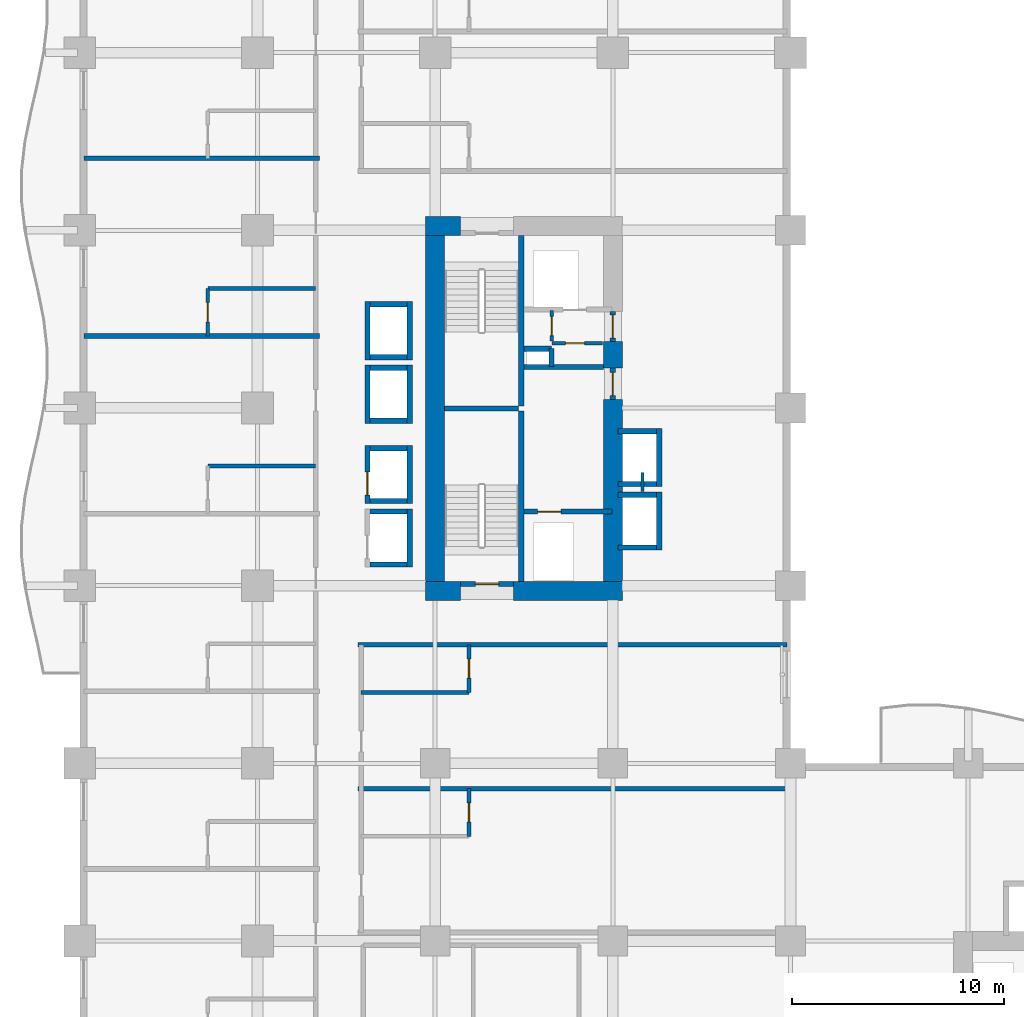
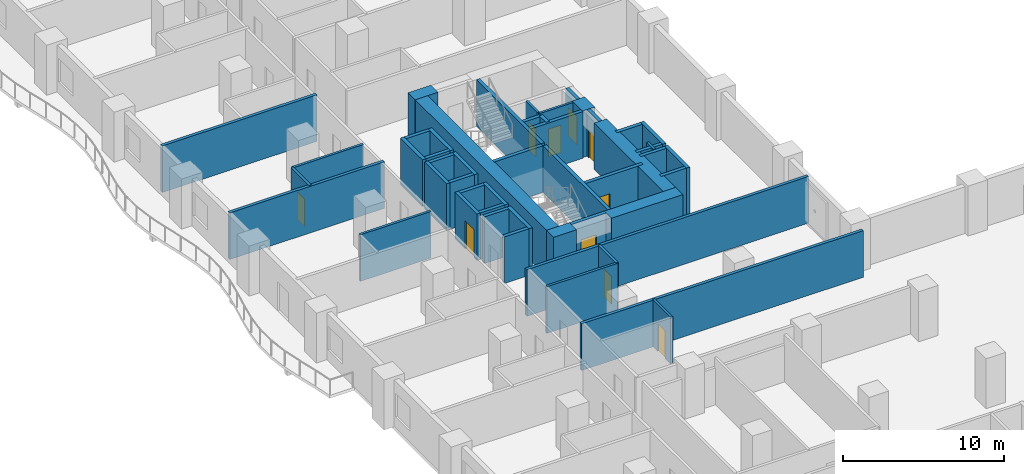
# One storey, part 11 of 20: 50 walls, 10 doors, 10 openings.
"""IFC4 building model written with IfcOpenShell, lengths in metres."""

from ifc_helpers import new_model, si_unit, direction, frame, frame_2d, origin, place, context, subcontext, project, spatial, rectangle, extrude, material, layer, layer_set, type_object, element, fill, save


model = new_model("IFC4")

# Units and contexts
model_context = context("Model", 3, precision=1e-05, world=origin(), true_north=direction((0.0, 1.0)))
body_context = subcontext(model_context, "Body", "Model", "MODEL_VIEW")
ifc_project = project(units=[si_unit("LENGTHUNIT", "METRE"), si_unit("AREAUNIT", "SQUARE_METRE"), si_unit("VOLUMEUNIT", "CUBIC_METRE"), si_unit("PLANEANGLEUNIT", "RADIAN"), si_unit("MASSUNIT", "GRAM", prefix="KILO")], contexts=[model_context])

# Site, building, storey
site_placement = place(None, origin())
site = spatial("IfcSite", under=ifc_project, at=site_placement, CompositionType="ELEMENT")
building_placement = place(site_placement, origin())
building = spatial("IfcBuilding", under=site, at=building_placement, Name="Koriwani Terraces Tower", CompositionType="ELEMENT")
storey_placement = place(building_placement, frame((0.0, 0.0, 35.800048828125)))
storey = spatial("IfcBuildingStorey", under=building, at=storey_placement, Name="L07", CompositionType="ELEMENT", Elevation=35.800048828125)

# Walls
ifc_material_1 = material(Name="Concrete C60/75", Category="concrete")
ifc_layer_1 = layer(ifc_material_1, 0.89990234375, Name="Concrete C60/75")
ifc_layer_set_1 = layer_set([ifc_layer_1], Name="Concrete C60/75")
wall_type_1 = type_object("IfcWallType", Name="WALL_CORE_RC_900", PredefinedType="SHEAR", material=ifc_layer_set_1)
wall_1_placement = place(storey_placement, frame((16.35009765625, 41.75, 0.0), z_axis=(0.0, 0.0, 1.0), x_axis=(1.0, 0.0, 0.0)))
element("IfcWall", 1, at=wall_1_placement, inside=storey, type_object=wall_type_1, Name="L07 West Split Core Shear Wall S1", PredefinedType="SHEAR", context=body_context, shape_type="SweptSolid", body=[
    extrude(rectangle(XDim=1.64990234375, YDim=0.89990234375, at=frame_2d((0.824951171875, 0.0))), origin(), (0.0, 0.0, 1.0), 3.550048828125),
])
wall_2_placement = place(storey_placement, frame((20.5, 41.75, 0.0), z_axis=(0.0, 0.0, 1.0), x_axis=(1.0, 0.0, 0.0)))
element("IfcWall", 2, at=wall_2_placement, inside=storey, type_object=wall_type_1, Name="L07 West Split Core Shear Wall S2", PredefinedType="SHEAR", context=body_context, shape_type="SweptSolid", body=[
    extrude(rectangle(XDim=5.14990234375, YDim=0.89990234375, at=frame_2d((2.574951171875, 0.0))), origin(), (0.0, 0.0, 1.0), 3.550048828125),
])
wall_3_placement = place(storey_placement, frame((16.35009765625, 59.0, 0.0), z_axis=(0.0, 0.0, 1.0), x_axis=(1.0, 0.0, 0.0)))
element("IfcWall", 3, at=wall_3_placement, inside=storey, type_object=wall_type_1, Name="L07 West Split Core Shear Wall N1", PredefinedType="SHEAR", context=body_context, shape_type="SweptSolid", body=[
    extrude(rectangle(XDim=1.64990234375, YDim=0.89990234375, at=frame_2d((0.824951171875, 0.0))), origin(), (0.0, 0.0, 1.0), 3.550048828125),
])
wall_4_placement = place(storey_placement, frame((16.800048828125, 42.199951171875, 0.0), z_axis=(0.0, 0.0, 1.0), x_axis=(0.0, 1.0, 0.0)))
element("IfcWall", 4, at=wall_4_placement, inside=storey, type_object=wall_type_1, Name="L07 West Split Core Shear Wall W1", PredefinedType="SHEAR", context=body_context, shape_type="SweptSolid", body=[
    extrude(rectangle(XDim=16.35009765625, YDim=0.89990234375, at=frame_2d((8.175048828125, 0.0))), origin(), (0.0, 0.0, 1.0), 3.550048828125),
])
wall_5_placement = place(storey_placement, frame((25.199951171875, 42.199951171875, 0.0), z_axis=(0.0, 0.0, 1.0), x_axis=(0.0, 1.0, 0.0)))
element("IfcWall", 5, at=wall_5_placement, inside=storey, type_object=wall_type_1, Name="L07 West Split Core Shear Wall E1", PredefinedType="SHEAR", context=body_context, shape_type="SweptSolid", body=[
    extrude(rectangle(XDim=8.60009765625, YDim=0.89990234375, at=frame_2d((4.300048828125, 0.0))), origin(), (0.0, 0.0, 1.0), 3.550048828125),
])
wall_6_placement = place(storey_placement, frame((25.199951171875, 52.280029296875, 0.0), z_axis=(0.0, 0.0, 1.0), x_axis=(0.0, 1.0, 0.0)))
element("IfcWall", 6, at=wall_6_placement, inside=storey, type_object=wall_type_1, Name="L07 West Split Core Shear Wall E2", PredefinedType="SHEAR", context=body_context, shape_type="SweptSolid", body=[
    extrude(rectangle(XDim=1.27001953125, YDim=0.89990234375, at=frame_2d((0.635009765625, 0.0))), origin(), (0.0, 0.0, 1.0), 3.550048828125),
])
ifc_material_2 = material(Name="Autoclaved Cellular Concrete Blockwork", Category="masonry")
ifc_layer_2 = layer(ifc_material_2, 0.219970703125, Name="Autoclaved Cellular Concrete Blockwork")
ifc_layer_set_2 = layer_set([ifc_layer_2], Name="Autoclaved Cellular Concrete Blockwork")
wall_type_2 = type_object("IfcWallType", Name="WALL_DEMISING_220", PredefinedType="PARTITIONING", material=ifc_layer_set_2)
for number, where, z_axis, x_axis, name in (
    (7, (13.14990234375, 32.39990234375, 0.0), (0.0, 0.0, 1.0), (1.0, 0.0, 0.0), "L07 Interior Wall WDEM-L07-NWI-1"),
    (8, (13.14990234375, 39.199951171875, 0.0), (0.0, 0.0, 1.0), (1.0, 0.0, 0.0), "L07 Interior Wall WDEME-L07-NWI"),
):
    element("IfcWall", number, at=place(storey_placement, frame(where, z_axis=z_axis, x_axis=x_axis)), inside=storey, type_object=wall_type_2, Name=name, PredefinedType="PARTITIONING", context=body_context, shape_type="SweptSolid", body=[
        extrude(rectangle(XDim=20.280029296875, YDim=0.219970703125, at=frame_2d((10.14013671875, 0.0))), origin(), (0.0, 0.0, 1.0), 3.550048828125),
    ])
for number, where, z_axis, x_axis, name in (
    (9, (0.199951171875, 53.800048828125, 0.0), (0.0, 0.0, 1.0), (1.0, 0.0, 0.0), "L07 Interior Wall WDEM-L07-NW-6"),
    (10, (0.199951171875, 62.199951171875, 0.0), (0.0, 0.0, 1.0), (1.0, 0.0, 0.0), "L07 Interior Wall WDEM-L07-NW-7"),
):
    element("IfcWall", number, at=place(storey_placement, frame(where, z_axis=z_axis, x_axis=x_axis)), inside=storey, type_object=wall_type_2, Name=name, PredefinedType="PARTITIONING", context=body_context, shape_type="SweptSolid", body=[
        extrude(rectangle(XDim=11.130126953125, YDim=0.219970703125, at=frame_2d((5.56494140625, 0.0))), origin(), (0.0, 0.0, 1.0), 3.550048828125),
    ])

# Wall, opening, door
ifc_material_3 = material(Name="Fire-Rated Acoustic Gypsum Partition", Category="masonry")
ifc_layer_3 = layer(ifc_material_3, 0.179931640625, Name="Fire-Rated Acoustic Gypsum Partition")
ifc_layer_set_3 = layer_set([ifc_layer_3], Name="Fire-Rated Acoustic Gypsum Partition")
wall_type_3 = type_object("IfcWallType", Name="WALL_PLUMBING_180", PredefinedType="PLUMBINGWALL", material=ifc_layer_set_3)
wall_7_placement = place(storey_placement, frame((18.39990234375, 30.14990234375, 0.0), z_axis=(0.0, 0.0, 1.0), x_axis=(0.0, 1.0, 0.0)))
wall_7 = element("IfcWall", 11, at=wall_7_placement, inside=storey, type_object=wall_type_3, Name="L07 Interior Wall WBTH1-L07-NWI-0", PredefinedType="PLUMBINGWALL", context=body_context, shape_type="SweptSolid", body=[
    extrude(rectangle(XDim=2.25, YDim=0.179931640625, at=frame_2d((1.125, 0.0))), origin(), (0.0, 0.0, 1.0), 3.550048828125),
])
opening_1_placement = place(wall_7_placement, frame((0.675048828125, 0.0, 0.0)))
opening_1 = element("IfcOpeningElement", 12, at=opening_1_placement, cuts=wall_7, Name="Opening D-07", PredefinedType="OPENING", context=body_context, shape_type="SweptSolid", body=[
    extrude(rectangle(XDim=0.89990234375, YDim=2.10009765625, at=frame_2d((0.449951171875, 1.050048828125))), frame((0.0, 0.10009765625, 0.0), z_axis=(0.0, -1.0, 0.0), x_axis=(1.0, 0.0, 0.0)), (0.0, 0.0, 1.0), 0.199951171875),
])
ifc_material_4 = material(Name="Architectural Oak Fire Door", Category="wood")
door_type_1 = type_object("IfcDoorType", Name="DOOR_BATH_INT_900X2100", OperationType="NOTDEFINED", PredefinedType="DOOR", material=ifc_material_4)
door_1_placement = place(opening_1_placement, origin())
door_1 = element("IfcDoor", 13, at=door_1_placement, inside=storey, type_object=door_type_1, Name="En-Suite Bathroom 07NWI1 Door", OperationType="SINGLE_SWING_RIGHT", OverallHeight=2.10009765625, OverallWidth=0.89990234375, PredefinedType="DOOR", context=body_context, shape_type="SweptSolid", body=[
    extrude(rectangle(XDim=0.89990234375, YDim=2.10009765625, at=frame_2d((0.449951171875, 1.050048828125))), frame((0.0, 0.02490234375, 0.0), z_axis=(0.0, -1.0, 0.0), x_axis=(1.0, 0.0, 0.0)), (0.0, 0.0, 1.0), 0.050048828125),
])
fill(opening_1, door_1)

wall_8_placement = place(storey_placement, frame((18.39990234375, 36.949951171875, 0.0), z_axis=(0.0, 0.0, 1.0), x_axis=(0.0, 1.0, 0.0)))
wall_8 = element("IfcWall", 14, at=wall_8_placement, inside=storey, type_object=wall_type_3, Name="L07 Interior Wall WBTH1-L07-NWI-1", PredefinedType="PLUMBINGWALL", context=body_context, shape_type="SweptSolid", body=[
    extrude(rectangle(XDim=2.25, YDim=0.179931640625, at=frame_2d((1.125, 0.0))), origin(), (0.0, 0.0, 1.0), 3.550048828125),
])
opening_2_placement = place(wall_8_placement, frame((0.675048828125, 0.0, 0.0)))
opening_2 = element("IfcOpeningElement", 15, at=opening_2_placement, cuts=wall_8, Name="Opening D-07", PredefinedType="OPENING", context=body_context, shape_type="SweptSolid", body=[
    extrude(rectangle(XDim=0.89990234375, YDim=2.10009765625, at=frame_2d((0.449951171875, 1.050048828125))), frame((0.0, 0.10009765625, 0.0), z_axis=(0.0, -1.0, 0.0), x_axis=(1.0, 0.0, 0.0)), (0.0, 0.0, 1.0), 0.199951171875),
])
door_2_placement = place(opening_2_placement, origin())
door_2 = element("IfcDoor", 16, at=door_2_placement, inside=storey, type_object=door_type_1, Name="En-Suite Bathroom 07NWI2 Door", OperationType="SINGLE_SWING_RIGHT", OverallHeight=2.10009765625, OverallWidth=0.89990234375, PredefinedType="DOOR", context=body_context, shape_type="SweptSolid", body=[
    extrude(rectangle(XDim=0.89990234375, YDim=2.10009765625, at=frame_2d((0.449951171875, 1.050048828125))), frame((0.0, 0.02490234375, 0.0), z_axis=(0.0, -1.0, 0.0), x_axis=(1.0, 0.0, 0.0)), (0.0, 0.0, 1.0), 0.050048828125),
])
fill(opening_2, door_2)

# Walls
for number, where, z_axis, x_axis, name in (
    (17, (13.300048828125, 36.949951171875, 0.0), (0.0, 0.0, 1.0), (1.0, 0.0, 0.0), "L07 Interior Wall WBTH2-L07-NWI-1"),
    (18, (6.050048828125, 47.64990234375, 0.0), (0.0, 0.0, 1.0), (1.0, 0.0, 0.0), "L07 Interior Wall WBTH2-L07-NW-5"),
):
    element("IfcWall", number, at=place(storey_placement, frame(where, z_axis=z_axis, x_axis=x_axis)), inside=storey, type_object=wall_type_3, Name=name, PredefinedType="PLUMBINGWALL", context=body_context, shape_type="SweptSolid", body=[
        extrude(rectangle(XDim=5.099853515625, YDim=0.179931640625, at=frame_2d((2.5498046875, 0.0))), origin(), (0.0, 0.0, 1.0), 3.550048828125),
    ])

# Wall, opening, door
wall_9_placement = place(storey_placement, frame((6.050048828125, 53.800048828125, 0.0), z_axis=(0.0, 0.0, 1.0), x_axis=(0.0, 1.0, 0.0)))
wall_9 = element("IfcWall", 19, at=wall_9_placement, inside=storey, type_object=wall_type_3, Name="L07 Interior Wall WBTH1-L07-NW-6", PredefinedType="PLUMBINGWALL", context=body_context, shape_type="SweptSolid", body=[
    extrude(rectangle(XDim=2.25, YDim=0.179931640625, at=frame_2d((1.125, 0.0))), origin(), (0.0, 0.0, 1.0), 3.550048828125),
])
opening_3_placement = place(wall_9_placement, frame((0.675048828125, 0.0, 0.0)))
opening_3 = element("IfcOpeningElement", 20, at=opening_3_placement, cuts=wall_9, Name="Opening D-07", PredefinedType="OPENING", context=body_context, shape_type="SweptSolid", body=[
    extrude(rectangle(XDim=0.89990234375, YDim=2.10009765625, at=frame_2d((0.449951171875, 1.050048828125))), frame((0.0, 0.10009765625, 0.0), z_axis=(0.0, -1.0, 0.0), x_axis=(1.0, 0.0, 0.0)), (0.0, 0.0, 1.0), 0.199951171875),
])
door_3_placement = place(opening_3_placement, origin())
door_3 = element("IfcDoor", 21, at=door_3_placement, inside=storey, type_object=door_type_1, Name="En-Suite Bathroom 07NW7 Door", OperationType="SINGLE_SWING_RIGHT", OverallHeight=2.10009765625, OverallWidth=0.89990234375, PredefinedType="DOOR", context=body_context, shape_type="SweptSolid", body=[
    extrude(rectangle(XDim=0.89990234375, YDim=2.10009765625, at=frame_2d((0.449951171875, 1.050048828125))), frame((0.0, 0.02490234375, 0.0), z_axis=(0.0, -1.0, 0.0), x_axis=(1.0, 0.0, 0.0)), (0.0, 0.0, 1.0), 0.050048828125),
])
fill(opening_3, door_3)

# Walls
wall_10_placement = place(storey_placement, frame((6.050048828125, 56.050048828125, 0.0), z_axis=(0.0, 0.0, 1.0), x_axis=(1.0, 0.0, 0.0)))
element("IfcWall", 22, at=wall_10_placement, inside=storey, type_object=wall_type_3, Name="L07 Interior Wall WBTH2-L07-NW-6", PredefinedType="PLUMBINGWALL", context=body_context, shape_type="SweptSolid", body=[
    extrude(rectangle(XDim=5.099853515625, YDim=0.179931640625, at=frame_2d((2.5498046875, 0.0))), origin(), (0.0, 0.0, 1.0), 3.550048828125),
])
ifc_material_5 = material(Name="Concrete C40/50", Category="concrete")
ifc_layer_4 = layer(ifc_material_5, 0.25, Name="Concrete C40/50")
ifc_layer_set_4 = layer_set([ifc_layer_4], Name="Concrete C40/50")
wall_type_4 = type_object("IfcWallType", Name="WALL_SHAFT_RATED_250", PredefinedType="SOLIDWALL", material=ifc_layer_set_4)
for number, where, z_axis, x_axis, name in (
    (23, (20.875, 42.199951171875, 0.0), (0.0, 0.0, 1.0), (0.0, 1.0, 0.0), "L07 West Split Core Web Wall MID1"),
    (24, (20.875, 50.5, 0.0), (0.0, 0.0, 1.0), (0.0, 1.0, 0.0), "L07 West Split Core Web Wall MID2"),
):
    element("IfcWall", number, at=place(storey_placement, frame(where, z_axis=z_axis, x_axis=x_axis)), inside=storey, type_object=wall_type_4, Name=name, PredefinedType="SOLIDWALL", context=body_context, shape_type="SweptSolid", body=[
        extrude(rectangle(XDim=8.050048828125, YDim=0.25, at=frame_2d((4.02490234375, 0.0))), origin(), (0.0, 0.0, 1.0), 3.550048828125),
    ])
wall_11_placement = place(storey_placement, frame((17.25, 50.375, 0.0), z_axis=(0.0, 0.0, 1.0), x_axis=(1.0, 0.0, 0.0)))
element("IfcWall", 25, at=wall_11_placement, inside=storey, type_object=wall_type_4, Name="L07 West Split Core Stair Dividing Wall", PredefinedType="SOLIDWALL", context=body_context, shape_type="SweptSolid", body=[
    extrude(rectangle(XDim=3.5, YDim=0.25, at=frame_2d((1.75, 0.0))), origin(), (0.0, 0.0, 1.0), 3.550048828125),
])

# Wall, opening, door
wall_12_placement = place(storey_placement, frame((18.0, 42.074951171875, 0.0), z_axis=(0.0, 0.0, 1.0), x_axis=(1.0, 0.0, 0.0)))
wall_12 = element("IfcWall", 26, at=wall_12_placement, inside=storey, type_object=wall_type_4, Name="L07 Interior Wall WIN-CW-L07-STS", PredefinedType="SOLIDWALL", context=body_context, shape_type="SweptSolid", body=[
    extrude(rectangle(XDim=2.5, YDim=0.25, at=frame_2d((1.25, 0.0))), origin(), (0.0, 0.0, 1.0), 3.550048828125),
])
opening_4_placement = place(wall_12_placement, frame((0.699951171875, 0.0, 0.0)))
opening_4 = element("IfcOpeningElement", 27, at=opening_4_placement, cuts=wall_12, Name="Opening D-03", PredefinedType="OPENING", context=body_context, shape_type="SweptSolid", body=[
    extrude(rectangle(XDim=1.10009765625, YDim=2.14990234375, at=frame_2d((0.550048828125, 1.074951171875))), frame((0.0, 0.135009765625, 0.0), z_axis=(0.0, -1.0, 0.0), x_axis=(1.0, 0.0, 0.0)), (0.0, 0.0, 1.0), 0.27001953125),
])
ifc_material_6 = material(Name="Steel ASTM A572 Grade 50", Category="steel")
door_type_2 = type_object("IfcDoorType", Name="DOOR_STAIR_FIRE_1100X2150", OperationType="NOTDEFINED", PredefinedType="DOOR", material=ifc_material_6)
door_4_placement = place(opening_4_placement, origin())
door_4 = element("IfcDoor", 28, at=door_4_placement, inside=storey, type_object=door_type_2, Name="L07 Exit Stair ST-W1 Door", OperationType="SINGLE_SWING_LEFT", OverallHeight=2.14990234375, OverallWidth=1.10009765625, PredefinedType="DOOR", context=body_context, shape_type="SweptSolid", body=[
    extrude(rectangle(XDim=1.10009765625, YDim=2.14990234375, at=frame_2d((0.550048828125, 1.074951171875))), frame((0.0, 0.02490234375, 0.0), z_axis=(0.0, -1.0, 0.0), x_axis=(1.0, 0.0, 0.0)), (0.0, 0.0, 1.0), 0.050048828125),
])
fill(opening_4, door_4)

wall_13_placement = place(storey_placement, frame((21.0, 45.5, 0.0), z_axis=(0.0, 0.0, 1.0), x_axis=(1.0, 0.0, 0.0)))
wall_13 = element("IfcWall", 29, at=wall_13_placement, inside=storey, type_object=wall_type_4, Name="L07 Interior Wall WIN-CW-L07-FE", PredefinedType="SOLIDWALL", context=body_context, shape_type="SweptSolid", body=[
    extrude(rectangle(XDim=4.14990234375, YDim=0.25, at=frame_2d((2.074951171875, 0.0))), origin(), (0.0, 0.0, 1.0), 3.550048828125),
])
opening_5_placement = place(wall_13_placement, frame((0.64990234375, 0.0, 0.0)))
opening_5 = element("IfcOpeningElement", 30, at=opening_5_placement, cuts=wall_13, Name="Opening LD-01", PredefinedType="OPENING", context=body_context, shape_type="SweptSolid", body=[
    extrude(rectangle(XDim=1.10009765625, YDim=2.14990234375, at=frame_2d((0.550048828125, 1.074951171875))), frame((0.0, 0.135009765625, 0.0), z_axis=(0.0, -1.0, 0.0), x_axis=(1.0, 0.0, 0.0)), (0.0, 0.0, 1.0), 0.27001953125),
])
door_type_3 = type_object("IfcDoorType", Name="DOOR_LIFT_LANDING_1100X2200", OperationType="NOTDEFINED", PredefinedType="DOOR", material=ifc_material_6)
door_5_placement = place(opening_5_placement, origin())
door_5 = element("IfcDoor", 31, at=door_5_placement, inside=storey, type_object=door_type_3, Name="L07 Firefighting Lift FE-01 Landing Door", OperationType="SLIDING_TO_LEFT", OverallHeight=2.14990234375, OverallWidth=1.10009765625, PredefinedType="DOOR", context=body_context, shape_type="SweptSolid", body=[
    extrude(rectangle(XDim=1.10009765625, YDim=2.14990234375, at=frame_2d((0.550048828125, 1.074951171875))), frame((0.0, 0.02490234375, 0.0), z_axis=(0.0, -1.0, 0.0), x_axis=(1.0, 0.0, 0.0)), (0.0, 0.0, 1.0), 0.050048828125),
])
fill(opening_5, door_5)

wall_14_placement = place(storey_placement, frame((25.199951171875, 50.800048828125, 0.0), z_axis=(0.0, 0.0, 1.0), x_axis=(0.0, 1.0, 0.0)))
wall_14 = element("IfcWall", 32, at=wall_14_placement, inside=storey, type_object=wall_type_4, Name="L07 Interior Wall WIN-CW-L07-EP", PredefinedType="SOLIDWALL", context=body_context, shape_type="SweptSolid", body=[
    extrude(rectangle(XDim=1.47998046875, YDim=0.25, at=frame_2d((0.739990234375, 0.0))), origin(), (0.0, 0.0, 1.0), 3.550048828125),
])
opening_6_placement = place(wall_14_placement, frame((0.179931640625, 0.0, 0.0)))
opening_6 = element("IfcOpeningElement", 33, at=opening_6_placement, cuts=wall_14, Name="Opening D-03", PredefinedType="OPENING", context=body_context, shape_type="SweptSolid", body=[
    extrude(rectangle(XDim=1.10009765625, YDim=2.14990234375, at=frame_2d((0.550048828125, 1.074951171875))), frame((0.0, 0.135009765625, 0.0), z_axis=(0.0, -1.0, 0.0), x_axis=(1.0, 0.0, 0.0)), (0.0, 0.0, 1.0), 0.27001953125),
])
door_6_placement = place(opening_6_placement, origin())
door_6 = element("IfcDoor", 34, at=door_6_placement, inside=storey, type_object=door_type_2, Name="L07 West Firefighting Lobby Door", OperationType="SINGLE_SWING_LEFT", OverallHeight=2.14990234375, OverallWidth=1.10009765625, PredefinedType="DOOR", context=body_context, shape_type="SweptSolid", body=[
    extrude(rectangle(XDim=1.10009765625, YDim=2.14990234375, at=frame_2d((0.550048828125, 1.074951171875))), frame((0.0, 0.02490234375, 0.0), z_axis=(0.0, -1.0, 0.0), x_axis=(1.0, 0.0, 0.0)), (0.0, 0.0, 1.0), 0.050048828125),
])
fill(opening_6, door_6)

# Wall
wall_15_placement = place(storey_placement, frame((21.0, 52.340087890625, 0.0), z_axis=(0.0, 0.0, 1.0), x_axis=(1.0, 0.0, 0.0)))
element("IfcWall", 35, at=wall_15_placement, inside=storey, type_object=wall_type_4, Name="L07 Interior Wall WIN-CW-L07-FFN", PredefinedType="SOLIDWALL", context=body_context, shape_type="SweptSolid", body=[
    extrude(rectangle(XDim=3.75, YDim=0.25, at=frame_2d((1.875, 0.0))), origin(), (0.0, 0.0, 1.0), 3.550048828125),
])

# Wall, opening, door
wall_16_placement = place(storey_placement, frame((25.199951171875, 53.550048828125, 0.0), z_axis=(0.0, 0.0, 1.0), x_axis=(0.0, 1.0, 0.0)))
wall_16 = element("IfcWall", 36, at=wall_16_placement, inside=storey, type_object=wall_type_4, Name="L07 Interior Wall WIN-CW-L07-EP2", PredefinedType="SOLIDWALL", context=body_context, shape_type="SweptSolid", body=[
    extrude(rectangle(XDim=1.39990234375, YDim=0.25, at=frame_2d((0.699951171875, 0.0))), origin(), (0.0, 0.0, 1.0), 3.550048828125),
])
opening_7_placement = place(wall_16_placement, frame((0.14990234375, 0.0, 0.0)))
opening_7 = element("IfcOpeningElement", 37, at=opening_7_placement, cuts=wall_16, Name="Opening D-03", PredefinedType="OPENING", context=body_context, shape_type="SweptSolid", body=[
    extrude(rectangle(XDim=1.10009765625, YDim=2.14990234375, at=frame_2d((0.550048828125, 1.074951171875))), frame((0.0, 0.135009765625, 0.0), z_axis=(0.0, -1.0, 0.0), x_axis=(1.0, 0.0, 0.0)), (0.0, 0.0, 1.0), 0.27001953125),
])
door_7_placement = place(opening_7_placement, origin())
door_7 = element("IfcDoor", 38, at=door_7_placement, inside=storey, type_object=door_type_2, Name="L07 West Goods Lift Lobby Door", OperationType="SINGLE_SWING_RIGHT", OverallHeight=2.14990234375, OverallWidth=1.10009765625, PredefinedType="DOOR", context=body_context, shape_type="SweptSolid", body=[
    extrude(rectangle(XDim=1.10009765625, YDim=2.14990234375, at=frame_2d((0.550048828125, 1.074951171875))), frame((0.0, 0.02490234375, 0.0), z_axis=(0.0, -1.0, 0.0), x_axis=(1.0, 0.0, 0.0)), (0.0, 0.0, 1.0), 0.050048828125),
])
fill(opening_7, door_7)

# Walls
wall_17_placement = place(storey_placement, frame((21.0, 53.199951171875, 0.0), z_axis=(0.0, 0.0, 1.0), x_axis=(1.0, 0.0, 0.0)))
element("IfcWall", 39, at=wall_17_placement, inside=storey, type_object=wall_type_4, Name="L07 Interior Wall WIN-CW-L07-RS1", PredefinedType="SOLIDWALL", context=body_context, shape_type="SweptSolid", body=[
    extrude(rectangle(XDim=1.300048828125, YDim=0.25, at=frame_2d((0.64990234375, 0.0))), origin(), (0.0, 0.0, 1.0), 3.550048828125),
])
wall_18_placement = place(storey_placement, frame((22.300048828125, 52.360107421875, 0.0), z_axis=(0.0, 0.0, 1.0), x_axis=(0.0, 1.0, 0.0)))
element("IfcWall", 40, at=wall_18_placement, inside=storey, type_object=wall_type_4, Name="L07 Interior Wall WIN-CW-L07-RS2", PredefinedType="SOLIDWALL", context=body_context, shape_type="SweptSolid", body=[
    extrude(rectangle(XDim=0.83984375, YDim=0.25, at=frame_2d((0.419921875, 0.0))), origin(), (0.0, 0.0, 1.0), 3.550048828125),
])
wall_19_placement = place(storey_placement, frame((15.60009765625, 42.875, 0.0), z_axis=(0.0, 0.0, 1.0), x_axis=(0.0, 1.0, 0.0)))
element("IfcWall", 41, at=wall_19_placement, inside=storey, type_object=wall_type_4, Name="L07 Interior Wall WIN-LF-PE-L1-L07-B", PredefinedType="SOLIDWALL", context=body_context, shape_type="SweptSolid", body=[
    extrude(rectangle(XDim=2.75, YDim=0.25, at=frame_2d((1.375, 0.0))), origin(), (0.0, 0.0, 1.0), 3.550048828125),
])
for number, where, z_axis, x_axis, name in (
    (42, (13.72509765625, 43.0, 0.0), (0.0, 0.0, 1.0), (1.0, 0.0, 0.0), "L07 Interior Wall WIN-LF-PE-L1-L07-S"),
    (43, (13.72509765625, 45.5, 0.0), (0.0, 0.0, 1.0), (1.0, 0.0, 0.0), "L07 Interior Wall WIN-LF-PE-L1-L07-N"),
):
    element("IfcWall", number, at=place(storey_placement, frame(where, z_axis=z_axis, x_axis=x_axis)), inside=storey, type_object=wall_type_4, Name=name, PredefinedType="SOLIDWALL", context=body_context, shape_type="SweptSolid", body=[
        extrude(rectangle(XDim=1.75, YDim=0.25, at=frame_2d((0.875, 0.0))), origin(), (0.0, 0.0, 1.0), 3.550048828125),
    ])

# Wall, opening, door
wall_20_placement = place(storey_placement, frame((13.60009765625, 45.875, 0.0), z_axis=(0.0, 0.0, 1.0), x_axis=(0.0, 1.0, 0.0)))
wall_20 = element("IfcWall", 44, at=wall_20_placement, inside=storey, type_object=wall_type_4, Name="L07 Interior Wall WIN-LF-PE-L2-L07-F", PredefinedType="SOLIDWALL", context=body_context, shape_type="SweptSolid", body=[
    extrude(rectangle(XDim=2.75, YDim=0.25, at=frame_2d((1.375, 0.0))), origin(), (0.0, 0.0, 1.0), 3.550048828125),
])
opening_8_placement = place(wall_20_placement, frame((0.39990234375, 0.0, 0.0)))
opening_8 = element("IfcOpeningElement", 45, at=opening_8_placement, cuts=wall_20, Name="Opening LD-01", PredefinedType="OPENING", context=body_context, shape_type="SweptSolid", body=[
    extrude(rectangle(XDim=1.10009765625, YDim=2.14990234375, at=frame_2d((0.550048828125, 1.074951171875))), frame((0.0, 0.135009765625, 0.0), z_axis=(0.0, -1.0, 0.0), x_axis=(1.0, 0.0, 0.0)), (0.0, 0.0, 1.0), 0.27001953125),
])
door_8_placement = place(opening_8_placement, origin())
door_8 = element("IfcDoor", 46, at=door_8_placement, inside=storey, type_object=door_type_3, Name="L07 Passenger Lift PE-L2 Landing Door", OperationType="SLIDING_TO_LEFT", OverallHeight=2.14990234375, OverallWidth=1.10009765625, PredefinedType="DOOR", context=body_context, shape_type="SweptSolid", body=[
    extrude(rectangle(XDim=1.10009765625, YDim=2.14990234375, at=frame_2d((0.550048828125, 1.074951171875))), frame((0.0, 0.02490234375, 0.0), z_axis=(0.0, -1.0, 0.0), x_axis=(1.0, 0.0, 0.0)), (0.0, 0.0, 1.0), 0.050048828125),
])
fill(opening_8, door_8)

# Walls
wall_21_placement = place(storey_placement, frame((15.60009765625, 45.875, 0.0), z_axis=(0.0, 0.0, 1.0), x_axis=(0.0, 1.0, 0.0)))
element("IfcWall", 47, at=wall_21_placement, inside=storey, type_object=wall_type_4, Name="L07 Interior Wall WIN-LF-PE-L2-L07-B", PredefinedType="SOLIDWALL", context=body_context, shape_type="SweptSolid", body=[
    extrude(rectangle(XDim=2.75, YDim=0.25, at=frame_2d((1.375, 0.0))), origin(), (0.0, 0.0, 1.0), 3.550048828125),
])
for number, where, z_axis, x_axis, name in (
    (48, (13.72509765625, 46.0, 0.0), (0.0, 0.0, 1.0), (1.0, 0.0, 0.0), "L07 Interior Wall WIN-LF-PE-L2-L07-S"),
    (49, (13.72509765625, 48.5, 0.0), (0.0, 0.0, 1.0), (1.0, 0.0, 0.0), "L07 Interior Wall WIN-LF-PE-L2-L07-N"),
):
    element("IfcWall", number, at=place(storey_placement, frame(where, z_axis=z_axis, x_axis=x_axis)), inside=storey, type_object=wall_type_4, Name=name, PredefinedType="SOLIDWALL", context=body_context, shape_type="SweptSolid", body=[
        extrude(rectangle(XDim=1.75, YDim=0.25, at=frame_2d((0.875, 0.0))), origin(), (0.0, 0.0, 1.0), 3.550048828125),
    ])
for number, where, z_axis, x_axis, name in (
    (50, (13.60009765625, 49.675048828125, 0.0), (0.0, 0.0, 1.0), (0.0, 1.0, 0.0), "L07 Interior Wall WIN-LF-PE-M1-L07-F"),
    (51, (15.60009765625, 49.675048828125, 0.0), (0.0, 0.0, 1.0), (0.0, 1.0, 0.0), "L07 Interior Wall WIN-LF-PE-M1-L07-B"),
):
    element("IfcWall", number, at=place(storey_placement, frame(where, z_axis=z_axis, x_axis=x_axis)), inside=storey, type_object=wall_type_4, Name=name, PredefinedType="SOLIDWALL", context=body_context, shape_type="SweptSolid", body=[
        extrude(rectangle(XDim=2.75, YDim=0.25, at=frame_2d((1.375, 0.0))), origin(), (0.0, 0.0, 1.0), 3.550048828125),
    ])
for number, where, z_axis, x_axis, name in (
    (52, (13.72509765625, 49.800048828125, 0.0), (0.0, 0.0, 1.0), (1.0, 0.0, 0.0), "L07 Interior Wall WIN-LF-PE-M1-L07-S"),
    (53, (13.72509765625, 52.300048828125, 0.0), (0.0, 0.0, 1.0), (1.0, 0.0, 0.0), "L07 Interior Wall WIN-LF-PE-M1-L07-N"),
):
    element("IfcWall", number, at=place(storey_placement, frame(where, z_axis=z_axis, x_axis=x_axis)), inside=storey, type_object=wall_type_4, Name=name, PredefinedType="SOLIDWALL", context=body_context, shape_type="SweptSolid", body=[
        extrude(rectangle(XDim=1.75, YDim=0.25, at=frame_2d((0.875, 0.0))), origin(), (0.0, 0.0, 1.0), 3.550048828125),
    ])
for number, where, z_axis, x_axis, name in (
    (54, (13.60009765625, 52.675048828125, 0.0), (0.0, 0.0, 1.0), (0.0, 1.0, 0.0), "L07 Interior Wall WIN-LF-PE-M2-L07-F"),
    (55, (15.60009765625, 52.675048828125, 0.0), (0.0, 0.0, 1.0), (0.0, 1.0, 0.0), "L07 Interior Wall WIN-LF-PE-M2-L07-B"),
):
    element("IfcWall", number, at=place(storey_placement, frame(where, z_axis=z_axis, x_axis=x_axis)), inside=storey, type_object=wall_type_4, Name=name, PredefinedType="SOLIDWALL", context=body_context, shape_type="SweptSolid", body=[
        extrude(rectangle(XDim=2.75, YDim=0.25, at=frame_2d((1.375, 0.0))), origin(), (0.0, 0.0, 1.0), 3.550048828125),
    ])
for number, where, z_axis, x_axis, name in (
    (56, (13.72509765625, 52.800048828125, 0.0), (0.0, 0.0, 1.0), (1.0, 0.0, 0.0), "L07 Interior Wall WIN-LF-PE-M2-L07-S"),
    (57, (13.72509765625, 55.300048828125, 0.0), (0.0, 0.0, 1.0), (1.0, 0.0, 0.0), "L07 Interior Wall WIN-LF-PE-M2-L07-N"),
):
    element("IfcWall", number, at=place(storey_placement, frame(where, z_axis=z_axis, x_axis=x_axis)), inside=storey, type_object=wall_type_4, Name=name, PredefinedType="SOLIDWALL", context=body_context, shape_type="SweptSolid", body=[
        extrude(rectangle(XDim=1.75, YDim=0.25, at=frame_2d((0.875, 0.0))), origin(), (0.0, 0.0, 1.0), 3.550048828125),
    ])
wall_22_placement = place(storey_placement, frame((27.39990234375, 43.675048828125, 0.0), z_axis=(0.0, 0.0, 1.0), x_axis=(0.0, 1.0, 0.0)))
element("IfcWall", 58, at=wall_22_placement, inside=storey, type_object=wall_type_4, Name="L07 Interior Wall WIN-LF-PE-H1-L07-F", PredefinedType="SOLIDWALL", context=body_context, shape_type="SweptSolid", body=[
    extrude(rectangle(XDim=2.75, YDim=0.25, at=frame_2d((1.375, 0.0))), origin(), (0.0, 0.0, 1.0), 3.550048828125),
])
for number, where, z_axis, x_axis, name in (
    (59, (25.449951171875, 43.800048828125, 0.0), (0.0, 0.0, 1.0), (1.0, 0.0, 0.0), "L07 Interior Wall WIN-LF-PE-H1-L07-S"),
    (60, (25.449951171875, 46.300048828125, 0.0), (0.0, 0.0, 1.0), (1.0, 0.0, 0.0), "L07 Interior Wall WIN-LF-PE-H1-L07-N"),
):
    element("IfcWall", number, at=place(storey_placement, frame(where, z_axis=z_axis, x_axis=x_axis)), inside=storey, type_object=wall_type_4, Name=name, PredefinedType="SOLIDWALL", context=body_context, shape_type="SweptSolid", body=[
        extrude(rectangle(XDim=1.824951171875, YDim=0.25, at=frame_2d((0.91259765625, 0.0))), origin(), (0.0, 0.0, 1.0), 3.550048828125),
    ])
wall_23_placement = place(storey_placement, frame((27.39990234375, 46.675048828125, 0.0), z_axis=(0.0, 0.0, 1.0), x_axis=(0.0, 1.0, 0.0)))
element("IfcWall", 61, at=wall_23_placement, inside=storey, type_object=wall_type_4, Name="L07 Interior Wall WIN-LF-PE-H2-L07-F", PredefinedType="SOLIDWALL", context=body_context, shape_type="SweptSolid", body=[
    extrude(rectangle(XDim=2.75, YDim=0.25, at=frame_2d((1.375, 0.0))), origin(), (0.0, 0.0, 1.0), 3.550048828125),
])
for number, where, z_axis, x_axis, name in (
    (62, (25.449951171875, 46.800048828125, 0.0), (0.0, 0.0, 1.0), (1.0, 0.0, 0.0), "L07 Interior Wall WIN-LF-PE-H2-L07-S"),
    (63, (25.449951171875, 49.300048828125, 0.0), (0.0, 0.0, 1.0), (1.0, 0.0, 0.0), "L07 Interior Wall WIN-LF-PE-H2-L07-N"),
):
    element("IfcWall", number, at=place(storey_placement, frame(where, z_axis=z_axis, x_axis=x_axis)), inside=storey, type_object=wall_type_4, Name=name, PredefinedType="SOLIDWALL", context=body_context, shape_type="SweptSolid", body=[
        extrude(rectangle(XDim=1.824951171875, YDim=0.25, at=frame_2d((0.91259765625, 0.0))), origin(), (0.0, 0.0, 1.0), 3.550048828125),
    ])

# Wall, opening, door
ifc_layer_5 = layer(ifc_material_3, 0.159912109375, Name="Fire-Rated Acoustic Gypsum Partition")
ifc_layer_set_5 = layer_set([ifc_layer_5], Name="Fire-Rated Acoustic Gypsum Partition")
wall_type_5 = type_object("IfcWallType", Name="WALL_SUITE_160", PredefinedType="PARTITIONING", material=ifc_layer_set_5)
wall_24_placement = place(storey_placement, frame((22.320068359375, 53.56005859375, 0.0), z_axis=(0.0, 0.0, 1.0), x_axis=(0.0, 1.0, 0.0)))
wall_24 = element("IfcWall", 64, at=wall_24_placement, inside=storey, type_object=wall_type_5, Name="L07 Interior Wall WIN-CW-L07-SV1A", PredefinedType="PARTITIONING", context=body_context, shape_type="SweptSolid", body=[
    extrude(rectangle(XDim=1.43994140625, YDim=0.159912109375, at=frame_2d((0.719970703125, 0.0))), origin(), (0.0, 0.0, 1.0), 3.550048828125),
])
opening_9_placement = place(wall_24_placement, frame((0.260009765625, 0.0, 0.0)))
opening_9 = element("IfcOpeningElement", 65, at=opening_9_placement, cuts=wall_24, Name="Opening D-07", PredefinedType="OPENING", context=body_context, shape_type="SweptSolid", body=[
    extrude(rectangle(XDim=0.89990234375, YDim=2.10009765625, at=frame_2d((0.449951171875, 1.050048828125))), frame((0.0, 0.08984375, 0.0), z_axis=(0.0, -1.0, 0.0), x_axis=(1.0, 0.0, 0.0)), (0.0, 0.0, 1.0), 0.179931640625),
])
door_9_placement = place(opening_9_placement, origin())
door_9 = element("IfcDoor", 66, at=door_9_placement, inside=storey, type_object=door_type_1, Name="L07 West Telecom Room Door", OperationType="SINGLE_SWING_LEFT", OverallHeight=2.10009765625, OverallWidth=0.89990234375, PredefinedType="DOOR", context=body_context, shape_type="SweptSolid", body=[
    extrude(rectangle(XDim=0.89990234375, YDim=2.10009765625, at=frame_2d((0.449951171875, 1.050048828125))), frame((0.0, 0.02490234375, 0.0), z_axis=(0.0, -1.0, 0.0), x_axis=(1.0, 0.0, 0.0)), (0.0, 0.0, 1.0), 0.050048828125),
])
fill(opening_9, door_9)

wall_25_placement = place(storey_placement, frame((22.320068359375, 53.4599609375, 0.0), z_axis=(0.0, 0.0, 1.0), x_axis=(1.0, 0.0, 0.0)))
wall_25 = element("IfcWall", 67, at=wall_25_placement, inside=storey, type_object=wall_type_5, Name="L07 Interior Wall WIN-CW-L07-SV1B", PredefinedType="PARTITIONING", context=body_context, shape_type="SweptSolid", body=[
    extrude(rectangle(XDim=2.39990234375, YDim=0.159912109375, at=frame_2d((1.199951171875, 0.0))), origin(), (0.0, 0.0, 1.0), 3.550048828125),
])
opening_10_placement = place(wall_25_placement, frame((0.64990234375, 0.0, 0.0)))
opening_10 = element("IfcOpeningElement", 68, at=opening_10_placement, cuts=wall_25, Name="Opening D-07", PredefinedType="OPENING", context=body_context, shape_type="SweptSolid", body=[
    extrude(rectangle(XDim=0.89990234375, YDim=2.10009765625, at=frame_2d((0.449951171875, 1.050048828125))), frame((0.0, 0.08984375, 0.0), z_axis=(0.0, -1.0, 0.0), x_axis=(1.0, 0.0, 0.0)), (0.0, 0.0, 1.0), 0.179931640625),
])
door_10_placement = place(opening_10_placement, origin())
door_10 = element("IfcDoor", 69, at=door_10_placement, inside=storey, type_object=door_type_1, Name="L07 West Cleaners Closet Door", OperationType="SINGLE_SWING_RIGHT", OverallHeight=2.10009765625, OverallWidth=0.89990234375, PredefinedType="DOOR", context=body_context, shape_type="SweptSolid", body=[
    extrude(rectangle(XDim=0.89990234375, YDim=2.10009765625, at=frame_2d((0.449951171875, 1.050048828125))), frame((0.0, 0.02490234375, 0.0), z_axis=(0.0, -1.0, 0.0), x_axis=(1.0, 0.0, 0.0)), (0.0, 0.0, 1.0), 0.050048828125),
])
fill(opening_10, door_10)

# Wall
wall_26_placement = place(storey_placement, frame((26.60009765625, 46.4599609375, 0.0), z_axis=(0.0, 0.0, 1.0), x_axis=(0.0, 1.0, 0.0)))
element("IfcWall", 70, at=wall_26_placement, inside=storey, type_object=wall_type_5, Name="L07 Interior Wall WIN-LF-PEH12-MID-L07", PredefinedType="PARTITIONING", context=body_context, shape_type="SweptSolid", body=[
    extrude(rectangle(XDim=0.880126953125, YDim=0.159912109375, at=frame_2d((0.43994140625, 0.0))), origin(), (0.0, 0.0, 1.0), 3.550048828125),
])

save(model, "model.ifc")
